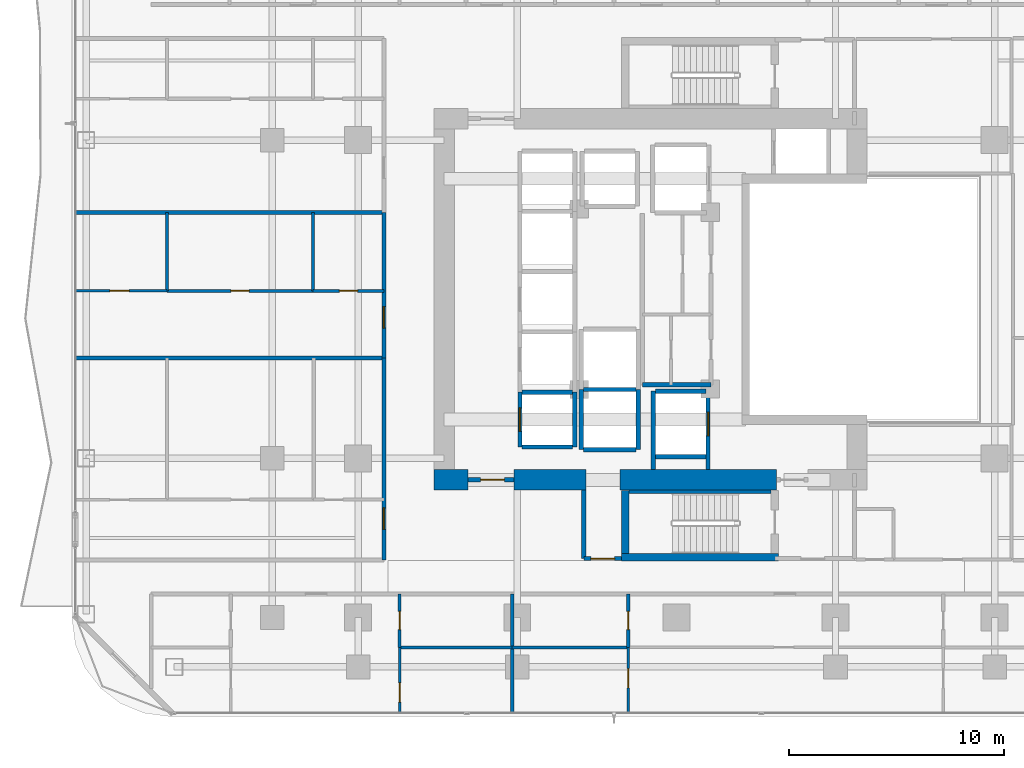
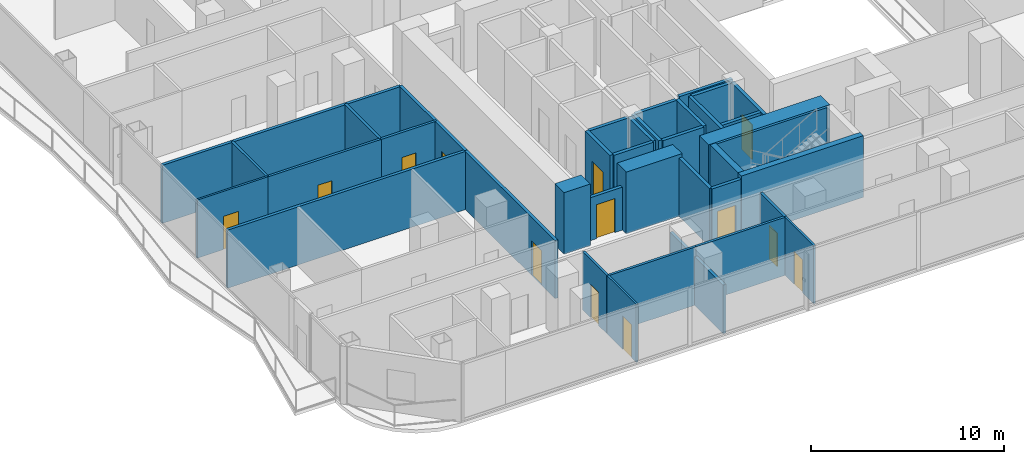
# One storey, part 19 of 28: 38 walls, 13 doors, 13 openings.
"""IFC4 building model written with IfcOpenShell, lengths in metres."""

from ifc_helpers import new_model, si_unit, direction, frame, frame_2d, origin, place, context, subcontext, project, spatial, rectangle, extrude, material, layer, layer_set, type_object, element, fill, save


model = new_model("IFC4")

# Units and contexts
model_context = context("Model", 3, precision=1e-05, world=origin(), true_north=direction((0.0, 1.0)))
body_context = subcontext(model_context, "Body", "Model", "MODEL_VIEW")
ifc_project = project(units=[si_unit("LENGTHUNIT", "METRE"), si_unit("AREAUNIT", "SQUARE_METRE"), si_unit("VOLUMEUNIT", "CUBIC_METRE"), si_unit("PLANEANGLEUNIT", "RADIAN"), si_unit("MASSUNIT", "GRAM", prefix="KILO")], contexts=[model_context])

# Site, building, storey
site_placement = place(None, origin())
site = spatial("IfcSite", under=ifc_project, at=site_placement, CompositionType="ELEMENT")
building_placement = place(site_placement, origin())
building = spatial("IfcBuilding", under=site, at=building_placement, Name="Khorvyn Point Tower", CompositionType="ELEMENT")
storey_placement = place(building_placement, frame((0.0, 0.0, 89.10009765625)))
storey = spatial("IfcBuildingStorey", under=building, at=storey_placement, Name="L22", CompositionType="ELEMENT", Elevation=89.10009765625)

# Wall, opening, door
ifc_material_1 = material(Name="Double acoustic gypsum on twin steel stud", Category="steel")
ifc_layer_1 = layer(ifc_material_1, 0.179931640625)
ifc_layer_set_1 = layer_set([ifc_layer_1], Name="Acoustic Double-Stud Apartment Demising Wall 180")
wall_type_1 = type_object("IfcWallType", Name="Acoustic Double-Stud Apartment Demising Wall 180", PredefinedType="PARTITIONING", material=ifc_layer_set_1)
wall_1_placement = place(storey_placement, frame((-13.60009765625, -12.1201171875, 0.0), z_axis=(0.0, 0.0, 1.0), x_axis=(0.0, 1.0, 0.0)))
wall_1 = element("IfcWall", 1, at=wall_1_placement, inside=storey, type_object=wall_type_1, Name="Wall", PredefinedType="PARTITIONING", context=body_context, shape_type="SweptSolid", body=[
    extrude(rectangle(XDim=9.38916015625, YDim=0.179931640625, at=frame_2d((4.694580078125, 0.0))), origin(), (0.0, 0.0, 1.0), 3.679931640625),
])
opening_1_placement = place(wall_1_placement, frame((1.415283203125, 0.0, 0.0)))
opening_1 = element("IfcOpeningElement", 2, at=opening_1_placement, cuts=wall_1, Name="Opening ID-AP60", PredefinedType="OPENING", context=body_context, shape_type="SweptSolid", body=[
    extrude(rectangle(XDim=1.0, YDim=2.199951171875, at=frame_2d((0.5, 1.10009765625))), frame((0.0, 0.099853515625, 0.0), z_axis=(0.0, -1.0, 0.0), x_axis=(1.0, 0.0, 0.0)), (0.0, 0.0, 1.0), 0.199951171875),
])
ifc_material_2 = material(Name="Engineered hardwood fire-rated leaf", Category="wood")
door_type_1 = type_object("IfcDoorType", Name="Acoustic Solid-Core Timber Apartment Entrance Door 1000x2200", OperationType="NOTDEFINED", PredefinedType="DOOR", material=ifc_material_2)
door_1_placement = place(opening_1_placement, origin())
door_1 = element("IfcDoor", 3, at=door_1_placement, inside=storey, type_object=door_type_1, Name="Door", OperationType="SINGLE_SWING_RIGHT", OverallHeight=2.199951171875, OverallWidth=1.0, PredefinedType="DOOR", context=body_context, shape_type="SweptSolid", body=[
    extrude(rectangle(XDim=1.0, YDim=2.199951171875, at=frame_2d((0.5, 1.10009765625))), frame((0.0, 0.02490234375, 0.0), z_axis=(0.0, -1.0, 0.0), x_axis=(1.0, 0.0, 0.0)), (0.0, 0.0, 1.0), 0.050048828125),
])
fill(opening_1, door_1)

wall_2_placement = place(storey_placement, frame((-13.60009765625, -2.73095703125, 0.0), z_axis=(0.0, 0.0, 1.0), x_axis=(0.0, 1.0, 0.0)))
wall_2 = element("IfcWall", 4, at=wall_2_placement, inside=storey, type_object=wall_type_1, Name="Wall", PredefinedType="PARTITIONING", context=body_context, shape_type="SweptSolid", body=[
    extrude(rectangle(XDim=6.77099609375, YDim=0.179931640625, at=frame_2d((3.385498046875, 0.0))), origin(), (0.0, 0.0, 1.0), 3.679931640625),
])
opening_2_placement = place(wall_2_placement, frame((1.390869140625, 0.0, 0.0)))
opening_2 = element("IfcOpeningElement", 5, at=opening_2_placement, cuts=wall_2, Name="Opening ID-AP60", PredefinedType="OPENING", context=body_context, shape_type="SweptSolid", body=[
    extrude(rectangle(XDim=1.0, YDim=2.199951171875, at=frame_2d((0.5, 1.10009765625))), frame((0.0, 0.099853515625, 0.0), z_axis=(0.0, -1.0, 0.0), x_axis=(1.0, 0.0, 0.0)), (0.0, 0.0, 1.0), 0.199951171875),
])
door_2_placement = place(opening_2_placement, origin())
door_2 = element("IfcDoor", 6, at=door_2_placement, inside=storey, type_object=door_type_1, Name="Door", OperationType="SINGLE_SWING_RIGHT", OverallHeight=2.199951171875, OverallWidth=1.0, PredefinedType="DOOR", context=body_context, shape_type="SweptSolid", body=[
    extrude(rectangle(XDim=1.0, YDim=2.199951171875, at=frame_2d((0.5, 1.10009765625))), frame((0.0, 0.02490234375, 0.0), z_axis=(0.0, -1.0, 0.0), x_axis=(1.0, 0.0, 0.0)), (0.0, 0.0, 1.0), 0.050048828125),
])
fill(opening_2, door_2)

# Walls
wall_3_placement = place(storey_placement, frame((-7.634033203125, -19.22998046875, 0.0), z_axis=(0.0, 0.0, 1.0), x_axis=(0.0, 1.0, 0.0)))
element("IfcWall", 7, at=wall_3_placement, inside=storey, type_object=wall_type_1, Name="Wall", PredefinedType="PARTITIONING", context=body_context, shape_type="SweptSolid", body=[
    extrude(rectangle(XDim=5.530029296875, YDim=0.179931640625, at=frame_2d((2.76513671875, 0.0))), origin(), (0.0, 0.0, 1.0), 3.081787109375),
])
for number, where, z_axis, x_axis, name in (
    (8, (-27.929931640625, -2.73095703125, 0.0), (0.0, 0.0, 1.0), (1.0, 0.0, 0.0), "Wall"),
    (9, (-27.929931640625, 4.0400390625, 0.0), (0.0, 0.0, 1.0), (1.0, 0.0, 0.0), "Wall"),
):
    element("IfcWall", number, at=place(storey_placement, frame(where, z_axis=z_axis, x_axis=x_axis)), inside=storey, type_object=wall_type_1, Name=name, PredefinedType="PARTITIONING", context=body_context, shape_type="SweptSolid", body=[
        extrude(rectangle(XDim=14.329833984375, YDim=0.179931640625, at=frame_2d((7.1650390625, 0.0))), origin(), (0.0, 0.0, 1.0), 3.679931640625),
    ])

# Wall, opening, door
ifc_material_3 = material(Name="Concrete C40/50", Category="concrete")
ifc_layer_2 = layer(ifc_material_3, 0.199951171875)
ifc_layer_set_2 = layer_set([ifc_layer_2], Name="Concrete C40/50 Fire-Lobby Compartment Wall 200")
wall_type_2 = type_object("IfcWallType", Name="Concrete C40/50 Fire-Lobby Compartment Wall 200", PredefinedType="SOLIDWALL", material=ifc_layer_set_2)
wall_4_placement = place(storey_placement, frame((-9.699951171875, -8.39990234375, 0.0), z_axis=(0.0, 0.0, 1.0), x_axis=(1.0, 0.0, 0.0)))
wall_4 = element("IfcWall", 10, at=wall_4_placement, inside=storey, type_object=wall_type_2, Name="Wall", PredefinedType="SOLIDWALL", context=body_context, shape_type="SweptSolid", body=[
    extrude(rectangle(XDim=2.14990234375, YDim=0.199951171875, at=frame_2d((1.074951171875, 0.0))), origin(), (0.0, 0.0, 1.0), 2.719970703125),
])
opening_3_placement = place(wall_4_placement, frame((0.597900390625, 0.0, 0.0)))
opening_3 = element("IfcOpeningElement", 11, at=opening_3_placement, cuts=wall_4, Name="Opening ID-FL90", PredefinedType="OPENING", context=body_context, shape_type="SweptSolid", body=[
    extrude(rectangle(XDim=1.10009765625, YDim=2.14990234375, at=frame_2d((0.550048828125, 1.074951171875))), frame((0.0, 0.10986328125, 0.0), z_axis=(0.0, -1.0, 0.0), x_axis=(1.0, 0.0, 0.0)), (0.0, 0.0, 1.0), 0.219970703125),
])
ifc_material_4 = material(Name="Galvanised powder-coated steel", Category="steel")
door_type_2 = type_object("IfcDoorType", Name="Fire-Rated Steel Lobby and Stair Door 1100x2150", OperationType="NOTDEFINED", PredefinedType="DOOR", material=ifc_material_4)
door_3_placement = place(opening_3_placement, origin())
door_3 = element("IfcDoor", 12, at=door_3_placement, inside=storey, type_object=door_type_2, Name="Door", OperationType="SINGLE_SWING_RIGHT", OverallHeight=2.14990234375, OverallWidth=1.10009765625, PredefinedType="DOOR", context=body_context, shape_type="SweptSolid", body=[
    extrude(rectangle(XDim=1.10009765625, YDim=2.14990234375, at=frame_2d((0.550048828125, 1.074951171875))), frame((0.0, 0.02490234375, 0.0), z_axis=(0.0, -1.0, 0.0), x_axis=(1.0, 0.0, 0.0)), (0.0, 0.0, 1.0), 0.050048828125),
])
fill(opening_3, door_3)

wall_5_placement = place(storey_placement, frame((-4.300048828125, -12.06005859375, 0.0), z_axis=(0.0, 0.0, 1.0), x_axis=(1.0, 0.0, 0.0)))
wall_5 = element("IfcWall", 13, at=wall_5_placement, inside=storey, type_object=wall_type_2, Name="Wall", PredefinedType="SOLIDWALL", context=body_context, shape_type="SweptSolid", body=[
    extrude(rectangle(XDim=1.75, YDim=0.199951171875, at=frame_2d((0.875, 0.0))), origin(), (0.0, 0.0, 1.0), 3.679931640625),
])
opening_4_placement = place(wall_5_placement, frame((0.324951171875, 0.0, 0.0)))
opening_4 = element("IfcOpeningElement", 14, at=opening_4_placement, cuts=wall_5, Name="Opening ID-FL90", PredefinedType="OPENING", context=body_context, shape_type="SweptSolid", body=[
    extrude(rectangle(XDim=1.10009765625, YDim=2.14990234375, at=frame_2d((0.550048828125, 1.074951171875))), frame((0.0, 0.10986328125, 0.0), z_axis=(0.0, -1.0, 0.0), x_axis=(1.0, 0.0, 0.0)), (0.0, 0.0, 1.0), 0.219970703125),
])
door_4_placement = place(opening_4_placement, origin())
door_4 = element("IfcDoor", 15, at=door_4_placement, inside=storey, type_object=door_type_2, Name="Door", OperationType="SINGLE_SWING_RIGHT", OverallHeight=2.14990234375, OverallWidth=1.10009765625, PredefinedType="DOOR", context=body_context, shape_type="SweptSolid", body=[
    extrude(rectangle(XDim=1.10009765625, YDim=2.14990234375, at=frame_2d((0.550048828125, 1.074951171875))), frame((0.0, 0.02490234375, 0.0), z_axis=(0.0, -1.0, 0.0), x_axis=(1.0, 0.0, 0.0)), (0.0, 0.0, 1.0), 0.050048828125),
])
fill(opening_4, door_4)

# Walls
wall_6_placement = place(storey_placement, frame((-4.300048828125, -12.06005859375, 0.0), z_axis=(0.0, 0.0, 1.0), x_axis=(0.0, 1.0, 0.0)))
element("IfcWall", 16, at=wall_6_placement, inside=storey, type_object=wall_type_2, Name="Wall", PredefinedType="SOLIDWALL", context=body_context, shape_type="SweptSolid", body=[
    extrude(rectangle(XDim=3.18505859375, YDim=0.199951171875, at=frame_2d((1.592529296875, 0.0))), origin(), (0.0, 0.0, 1.0), 3.679931640625),
])
wall_7_placement = place(storey_placement, frame((-1.580078125, -3.97998046875, 0.0), z_axis=(0.0, 0.0, 1.0), x_axis=(1.0, 0.0, 0.0)))
element("IfcWall", 17, at=wall_7_placement, inside=storey, type_object=wall_type_2, Name="Wall", PredefinedType="SOLIDWALL", context=body_context, shape_type="SweptSolid", body=[
    extrude(rectangle(XDim=3.190185546875, YDim=0.199951171875, at=frame_2d((1.59521484375, 0.0))), origin(), (0.0, 0.0, 1.0), 3.679931640625),
])
ifc_layer_3 = layer(ifc_material_3, 0.25)
ifc_layer_set_3 = layer_set([ifc_layer_3], Name="Concrete C40/50 Stair Inner Cheek Structural Wall 250")
wall_type_3 = type_object("IfcWallType", Name="Concrete C40/50 Stair Inner Cheek Structural Wall 250", PredefinedType="SHEAR", material=ifc_layer_set_3)
wall_8_placement = place(storey_placement, frame((-2.199951171875, -8.949951171875, 0.0), z_axis=(0.0, 0.0, 1.0), x_axis=(1.0, 0.0, 0.0)))
element("IfcWall", 18, at=wall_8_placement, inside=storey, type_object=wall_type_3, Name="Wall", PredefinedType="SHEAR", context=body_context, shape_type="SweptSolid", body=[
    extrude(rectangle(XDim=6.599853515625, YDim=0.14990234375, at=frame_2d((3.2998046875, 0.0))), origin(), (0.0, 0.0, 1.0), 3.89990234375),
])
ifc_layer_4 = layer(ifc_material_3, 0.35009765625)
ifc_layer_set_4 = layer_set([ifc_layer_4], Name="Concrete C40/50 Stair Shaft Structural Wall 350")
wall_type_4 = type_object("IfcWallType", Name="Concrete C40/50 Stair Shaft Structural Wall 350", PredefinedType="SHEAR", material=ifc_layer_set_4)
wall_9_placement = place(storey_placement, frame((-2.554931640625, -12.0, 0.0), z_axis=(0.0, 0.0, 1.0), x_axis=(1.0, 0.0, 0.0)))
element("IfcWall", 19, at=wall_9_placement, inside=storey, type_object=wall_type_4, Name="L22 ST-01 South Shaft Wall", PredefinedType="SHEAR", context=body_context, shape_type="SweptSolid", body=[
    extrude(rectangle(XDim=7.309814453125, YDim=0.35009765625, at=frame_2d((3.65478515625, 0.0))), origin(), (0.0, 0.0, 1.0), 3.89990234375),
])
wall_10_placement = place(storey_placement, frame((-2.3798828125, -11.824951171875, 0.0), z_axis=(0.0, 0.0, 1.0), x_axis=(0.0, 1.0, 0.0)))
element("IfcWall", 20, at=wall_10_placement, inside=storey, type_object=wall_type_4, Name="L22 ST-01 West Shaft Wall", PredefinedType="SHEAR", context=body_context, shape_type="SweptSolid", body=[
    extrude(rectangle(XDim=2.925048828125, YDim=0.35009765625, at=frame_2d((1.46240234375, 0.0))), origin(), (0.0, 0.0, 1.0), 3.89990234375),
])

# Wall, opening, door
ifc_layer_5 = layer(ifc_material_3, 0.199951171875)
ifc_layer_set_5 = layer_set([ifc_layer_5], Name="Concrete C40/50 Structural Hoistway and Stair Shaft Wall 200")
wall_type_5 = type_object("IfcWallType", Name="Concrete C40/50 Structural Hoistway and Stair Shaft Wall 200", PredefinedType="SHEAR", material=ifc_layer_set_5)
wall_11_placement = place(storey_placement, frame((-7.27490234375, -6.875, 0.0), z_axis=(0.0, 0.0, 1.0), x_axis=(0.0, 1.0, 0.0)))
wall_11 = element("IfcWall", 21, at=wall_11_placement, inside=storey, type_object=wall_type_5, Name="Wall", PredefinedType="SHEAR", context=body_context, shape_type="SweptSolid", body=[
    extrude(rectangle(XDim=2.550048828125, YDim=0.199951171875, at=frame_2d((1.27490234375, 0.0))), origin(), (0.0, 0.0, 1.0), 3.679931640625),
])
opening_5_placement = place(wall_11_placement, frame((0.72509765625, 0.0, 0.0)))
opening_5 = element("IfcOpeningElement", 22, at=opening_5_placement, cuts=wall_11, Name="Opening LD-1122", PredefinedType="OPENING", context=body_context, shape_type="SweptSolid", body=[
    extrude(rectangle(XDim=1.10009765625, YDim=2.199951171875, at=frame_2d((0.550048828125, 1.10009765625))), frame((0.0, 0.10986328125, 0.0), z_axis=(0.0, -1.0, 0.0), x_axis=(1.0, 0.0, 0.0)), (0.0, 0.0, 1.0), 0.219970703125),
])
ifc_material_5 = material(Name="Stainless steel 1.4301", Category="steel")
door_type_3 = type_object("IfcDoorType", Name="Stainless Steel Automatic Sliding Lift Landing Door 1100x2200", OperationType="SLIDING_TO_LEFT", PredefinedType="DOOR", material=ifc_material_5)
door_5_placement = place(opening_5_placement, origin())
door_5 = element("IfcDoor", 23, at=door_5_placement, inside=storey, type_object=door_type_3, Name="L22 RL-01 Sliding Lift Landing Door", OperationType="SLIDING_TO_LEFT", OverallHeight=2.199951171875, OverallWidth=1.10009765625, PredefinedType="DOOR", context=body_context, shape_type="SweptSolid", body=[
    extrude(rectangle(XDim=1.10009765625, YDim=2.199951171875, at=frame_2d((0.550048828125, 1.10009765625))), frame((0.0, 0.02490234375, 0.0), z_axis=(0.0, -1.0, 0.0), x_axis=(1.0, 0.0, 0.0)), (0.0, 0.0, 1.0), 0.050048828125),
])
fill(opening_5, door_5)

# Walls
wall_12_placement = place(storey_placement, frame((-4.72509765625, -6.875, 0.0), z_axis=(0.0, 0.0, 1.0), x_axis=(0.0, 1.0, 0.0)))
element("IfcWall", 24, at=wall_12_placement, inside=storey, type_object=wall_type_5, Name="Wall", PredefinedType="SHEAR", context=body_context, shape_type="SweptSolid", body=[
    extrude(rectangle(XDim=2.550048828125, YDim=0.199951171875, at=frame_2d((1.27490234375, 0.0))), origin(), (0.0, 0.0, 1.0), 3.679931640625),
])
for number, where, z_axis, x_axis, name in (
    (25, (-7.175048828125, -6.875, 0.0), (0.0, 0.0, 1.0), (1.0, 0.0, 0.0), "Wall"),
    (26, (-7.175048828125, -4.324951171875, 0.0), (0.0, 0.0, 1.0), (1.0, 0.0, 0.0), "Wall"),
):
    element("IfcWall", number, at=place(storey_placement, frame(where, z_axis=z_axis, x_axis=x_axis)), inside=storey, type_object=wall_type_5, Name=name, PredefinedType="SHEAR", context=body_context, shape_type="SweptSolid", body=[
        extrude(rectangle(XDim=2.35009765625, YDim=0.199951171875, at=frame_2d((1.175048828125, 0.0))), origin(), (0.0, 0.0, 1.0), 3.679931640625),
    ])
for number, where, z_axis, x_axis, name in (
    (27, (-4.425048828125, -7.0, 0.0), (0.0, 0.0, 1.0), (0.0, 1.0, 0.0), "Wall"),
    (28, (-1.77490234375, -7.0, 0.0), (0.0, 0.0, 1.0), (0.0, 1.0, 0.0), "Wall"),
):
    element("IfcWall", number, at=place(storey_placement, frame(where, z_axis=z_axis, x_axis=x_axis)), inside=storey, type_object=wall_type_5, Name=name, PredefinedType="SHEAR", context=body_context, shape_type="SweptSolid", body=[
        extrude(rectangle(XDim=2.800048828125, YDim=0.199951171875, at=frame_2d((1.39990234375, 0.0))), origin(), (0.0, 0.0, 1.0), 3.679931640625),
    ])
for number, where, z_axis, x_axis, name in (
    (29, (-4.324951171875, -7.0, 0.0), (0.0, 0.0, 1.0), (1.0, 0.0, 0.0), "Wall"),
    (30, (-4.324951171875, -4.199951171875, 0.0), (0.0, 0.0, 1.0), (1.0, 0.0, 0.0), "Wall"),
):
    element("IfcWall", number, at=place(storey_placement, frame(where, z_axis=z_axis, x_axis=x_axis)), inside=storey, type_object=wall_type_5, Name=name, PredefinedType="SHEAR", context=body_context, shape_type="SweptSolid", body=[
        extrude(rectangle(XDim=2.449951171875, YDim=0.199951171875, at=frame_2d((1.22509765625, 0.0))), origin(), (0.0, 0.0, 1.0), 3.679931640625),
    ])
wall_13_placement = place(storey_placement, frame((-1.074951171875, -7.925048828125, 0.0), z_axis=(0.0, 0.0, 1.0), x_axis=(0.0, 1.0, 0.0)))
element("IfcWall", 31, at=wall_13_placement, inside=storey, type_object=wall_type_5, Name="Wall", PredefinedType="SHEAR", context=body_context, shape_type="SweptSolid", body=[
    extrude(rectangle(XDim=3.650146484375, YDim=0.199951171875, at=frame_2d((1.8251953125, 0.0))), origin(), (0.0, 0.0, 1.0), 3.679931640625),
])

# Wall, opening, door
wall_14_placement = place(storey_placement, frame((1.47509765625, -7.925048828125, 0.0), z_axis=(0.0, 0.0, 1.0), x_axis=(0.0, 1.0, 0.0)))
wall_14 = element("IfcWall", 32, at=wall_14_placement, inside=storey, type_object=wall_type_5, Name="Wall", PredefinedType="SHEAR", context=body_context, shape_type="SweptSolid", body=[
    extrude(rectangle(XDim=3.650146484375, YDim=0.199951171875, at=frame_2d((1.8251953125, 0.0))), origin(), (0.0, 0.0, 1.0), 3.679931640625),
])
opening_6_placement = place(wall_14_placement, frame((1.574951171875, 0.0, 0.0)))
opening_6 = element("IfcOpeningElement", 33, at=opening_6_placement, cuts=wall_14, Name="Opening LD-1122", PredefinedType="OPENING", context=body_context, shape_type="SweptSolid", body=[
    extrude(rectangle(XDim=1.10009765625, YDim=2.199951171875, at=frame_2d((0.550048828125, 1.10009765625))), frame((0.0, 0.10986328125, 0.0), z_axis=(0.0, -1.0, 0.0), x_axis=(1.0, 0.0, 0.0)), (0.0, 0.0, 1.0), 0.219970703125),
])
door_6_placement = place(opening_6_placement, origin())
door_6 = element("IfcDoor", 34, at=door_6_placement, inside=storey, type_object=door_type_3, Name="L22 FF-01 Sliding Lift Landing Door", OperationType="SLIDING_TO_LEFT", OverallHeight=2.199951171875, OverallWidth=1.10009765625, PredefinedType="DOOR", context=body_context, shape_type="SweptSolid", body=[
    extrude(rectangle(XDim=1.10009765625, YDim=2.199951171875, at=frame_2d((0.550048828125, 1.10009765625))), frame((0.0, 0.02490234375, 0.0), z_axis=(0.0, -1.0, 0.0), x_axis=(1.0, 0.0, 0.0)), (0.0, 0.0, 1.0), 0.050048828125),
])
fill(opening_6, door_6)

# Walls
for number, where, z_axis, x_axis, name in (
    (35, (-0.97509765625, -7.324951171875, 0.0), (0.0, 0.0, 1.0), (1.0, 0.0, 0.0), "Wall"),
    (36, (-0.97509765625, -4.27490234375, 0.0), (0.0, 0.0, 1.0), (1.0, 0.0, 0.0), "Wall"),
):
    element("IfcWall", number, at=place(storey_placement, frame(where, z_axis=z_axis, x_axis=x_axis)), inside=storey, type_object=wall_type_5, Name=name, PredefinedType="SHEAR", context=body_context, shape_type="SweptSolid", body=[
        extrude(rectangle(XDim=2.35009765625, YDim=0.199951171875, at=frame_2d((1.175048828125, 0.0))), origin(), (0.0, 0.0, 1.0), 3.679931640625),
    ])
ifc_material_6 = material(Name="Concrete C50/60", Category="concrete")
ifc_layer_6 = layer(ifc_material_6, 0.949951171875)
ifc_layer_set_6 = layer_set([ifc_layer_6], Name="Concrete C50/60 Core Shear Wall 950")
wall_type_6 = type_object("IfcWallType", Name="Concrete C50/60 Core Shear Wall 950", PredefinedType="SHEAR", material=ifc_layer_set_6)
wall_15_placement = place(storey_placement, frame((-11.27490234375, -8.39990234375, 0.0), z_axis=(0.0, 0.0, 1.0), x_axis=(1.0, 0.0, 0.0)))
element("IfcWall", 37, at=wall_15_placement, inside=storey, type_object=wall_type_6, Name="Wall", PredefinedType="SHEAR", context=body_context, shape_type="SweptSolid", body=[
    extrude(rectangle(XDim=1.574951171875, YDim=0.949951171875, at=frame_2d((0.78759765625, 0.0))), origin(), (0.0, 0.0, 1.0), 3.89990234375),
])
wall_16_placement = place(storey_placement, frame((-7.550048828125, -8.39990234375, 0.0), z_axis=(0.0, 0.0, 1.0), x_axis=(1.0, 0.0, 0.0)))
element("IfcWall", 38, at=wall_16_placement, inside=storey, type_object=wall_type_6, Name="Wall", PredefinedType="SHEAR", context=body_context, shape_type="SweptSolid", body=[
    extrude(rectangle(XDim=3.35009765625, YDim=0.949951171875, at=frame_2d((1.675048828125, 0.0))), origin(), (0.0, 0.0, 1.0), 3.89990234375),
])
wall_17_placement = place(storey_placement, frame((-2.6201171875, -8.39990234375, 0.0), z_axis=(0.0, 0.0, 1.0), x_axis=(1.0, 0.0, 0.0)))
element("IfcWall", 39, at=wall_17_placement, inside=storey, type_object=wall_type_6, Name="Wall", PredefinedType="SHEAR", context=body_context, shape_type="SweptSolid", body=[
    extrude(rectangle(XDim=7.27001953125, YDim=0.949951171875, at=frame_2d((3.635009765625, 0.0))), origin(), (0.0, 0.0, 1.0), 3.89990234375),
])

# Wall, opening, door
ifc_material_7 = material(Name="Gypsum plasterboard on steel stud", Category="steel")
ifc_layer_7 = layer(ifc_material_7, 0.1201171875)
ifc_layer_set_7 = layer_set([ifc_layer_7], Name="Gypsum Acoustic Stud Room Partition Wall 120")
wall_type_7 = type_object("IfcWallType", Name="Gypsum Acoustic Stud Room Partition Wall 120", PredefinedType="PARTITIONING", material=ifc_layer_set_7)
wall_18_placement = place(storey_placement, frame((-12.87109375, -19.22998046875, 0.0), z_axis=(0.0, 0.0, 1.0), x_axis=(0.0, 1.0, 0.0)))
wall_18 = element("IfcWall", 40, at=wall_18_placement, inside=storey, type_object=wall_type_7, Name="Wall", PredefinedType="PARTITIONING", context=body_context, shape_type="SweptSolid", body=[
    extrude(rectangle(XDim=3.0400390625, YDim=0.1201171875, at=frame_2d((1.52001953125, 0.0))), origin(), (0.0, 0.0, 1.0), 3.679931640625),
])
opening_7_placement = place(wall_18_placement, frame((0.490966796875, 0.0, 0.0)))
opening_7 = element("IfcOpeningElement", 41, at=opening_7_placement, cuts=wall_18, Name="Opening ID-RM90", PredefinedType="OPENING", context=body_context, shape_type="SweptSolid", body=[
    extrude(rectangle(XDim=0.89990234375, YDim=2.10009765625, at=frame_2d((0.449951171875, 1.050048828125))), frame((0.0, 0.070068359375, 0.0), z_axis=(0.0, -1.0, 0.0), x_axis=(1.0, 0.0, 0.0)), (0.0, 0.0, 1.0), 0.14013671875),
])
ifc_material_8 = material(Name="Engineered oak veneer timber", Category="wood")
door_type_4 = type_object("IfcDoorType", Name="Flush Engineered Timber Room Door 900x2100", OperationType="NOTDEFINED", PredefinedType="DOOR", material=ifc_material_8)
door_7_placement = place(opening_7_placement, origin())
door_7 = element("IfcDoor", 42, at=door_7_placement, inside=storey, type_object=door_type_4, Name="Door", OperationType="SINGLE_SWING_LEFT", OverallHeight=2.10009765625, OverallWidth=0.89990234375, PredefinedType="DOOR", context=body_context, shape_type="SweptSolid", body=[
    extrude(rectangle(XDim=0.89990234375, YDim=2.10009765625, at=frame_2d((0.449951171875, 1.050048828125))), frame((0.0, 0.02490234375, 0.0), z_axis=(0.0, -1.0, 0.0), x_axis=(1.0, 0.0, 0.0)), (0.0, 0.0, 1.0), 0.050048828125),
])
fill(opening_7, door_7)

wall_19_placement = place(storey_placement, frame((-2.239990234375, -19.22998046875, 0.0), z_axis=(0.0, 0.0, 1.0), x_axis=(0.0, 1.0, 0.0)))
wall_19 = element("IfcWall", 43, at=wall_19_placement, inside=storey, type_object=wall_type_7, Name="Wall", PredefinedType="PARTITIONING", context=body_context, shape_type="SweptSolid", body=[
    extrude(rectangle(XDim=3.0400390625, YDim=0.1201171875, at=frame_2d((1.52001953125, 0.0))), origin(), (0.0, 0.0, 1.0), 3.679931640625),
])
opening_8_placement = place(wall_19_placement, frame((1.152587890625, 0.0, 0.0)))
opening_8 = element("IfcOpeningElement", 44, at=opening_8_placement, cuts=wall_19, Name="Opening ID-RM90", PredefinedType="OPENING", context=body_context, shape_type="SweptSolid", body=[
    extrude(rectangle(XDim=0.89990234375, YDim=2.10009765625, at=frame_2d((0.449951171875, 1.050048828125))), frame((0.0, 0.070068359375, 0.0), z_axis=(0.0, -1.0, 0.0), x_axis=(1.0, 0.0, 0.0)), (0.0, 0.0, 1.0), 0.14013671875),
])
door_8_placement = place(opening_8_placement, origin())
door_8 = element("IfcDoor", 45, at=door_8_placement, inside=storey, type_object=door_type_4, Name="Door", OperationType="SINGLE_SWING_LEFT", OverallHeight=2.10009765625, OverallWidth=0.89990234375, PredefinedType="DOOR", context=body_context, shape_type="SweptSolid", body=[
    extrude(rectangle(XDim=0.89990234375, YDim=2.10009765625, at=frame_2d((0.449951171875, 1.050048828125))), frame((0.0, 0.02490234375, 0.0), z_axis=(0.0, -1.0, 0.0), x_axis=(1.0, 0.0, 0.0)), (0.0, 0.0, 1.0), 0.050048828125),
])
fill(opening_8, door_8)

wall_20_placement = place(storey_placement, frame((-27.929931640625, 0.384033203125, 0.0), z_axis=(0.0, 0.0, 1.0), x_axis=(1.0, 0.0, 0.0)))
wall_20 = element("IfcWall", 46, at=wall_20_placement, inside=storey, type_object=wall_type_7, Name="Wall", PredefinedType="PARTITIONING", context=body_context, shape_type="SweptSolid", body=[
    extrude(rectangle(XDim=4.239990234375, YDim=0.1201171875, at=frame_2d((2.1201171875, 0.0))), origin(), (0.0, 0.0, 1.0), 3.679931640625),
])
opening_9_placement = place(wall_20_placement, frame((1.581298828125, 0.0, 0.0)))
opening_9 = element("IfcOpeningElement", 47, at=opening_9_placement, cuts=wall_20, Name="Opening ID-RM90", PredefinedType="OPENING", context=body_context, shape_type="SweptSolid", body=[
    extrude(rectangle(XDim=0.89990234375, YDim=2.10009765625, at=frame_2d((0.449951171875, 1.050048828125))), frame((0.0, 0.070068359375, 0.0), z_axis=(0.0, -1.0, 0.0), x_axis=(1.0, 0.0, 0.0)), (0.0, 0.0, 1.0), 0.14013671875),
])
door_9_placement = place(opening_9_placement, origin())
door_9 = element("IfcDoor", 48, at=door_9_placement, inside=storey, type_object=door_type_4, Name="Door", OperationType="SINGLE_SWING_LEFT", OverallHeight=2.10009765625, OverallWidth=0.89990234375, PredefinedType="DOOR", context=body_context, shape_type="SweptSolid", body=[
    extrude(rectangle(XDim=0.89990234375, YDim=2.10009765625, at=frame_2d((0.449951171875, 1.050048828125))), frame((0.0, 0.02490234375, 0.0), z_axis=(0.0, -1.0, 0.0), x_axis=(1.0, 0.0, 0.0)), (0.0, 0.0, 1.0), 0.050048828125),
])
fill(opening_9, door_9)

ifc_material_9 = material(Name="Moisture-resistant gypsum and cement board", Category="gypsum")
ifc_layer_8 = layer(ifc_material_9, 0.14990234375)
ifc_layer_set_8 = layer_set([ifc_layer_8], Name="Moisture-Resistant Wet-Room Partition Wall 150")
wall_type_8 = type_object("IfcWallType", Name="Moisture-Resistant Wet-Room Partition Wall 150", PredefinedType="PARTITIONING", material=ifc_layer_set_8)
wall_21_placement = place(storey_placement, frame((-12.87109375, -16.18994140625, 0.0), z_axis=(0.0, 0.0, 1.0), x_axis=(0.0, 1.0, 0.0)))
wall_21 = element("IfcWall", 49, at=wall_21_placement, inside=storey, type_object=wall_type_8, Name="Wall", PredefinedType="PARTITIONING", context=body_context, shape_type="SweptSolid", body=[
    extrude(rectangle(XDim=2.489990234375, YDim=0.14990234375, at=frame_2d((1.2451171875, 0.0))), origin(), (0.0, 0.0, 1.0), 3.679931640625),
])
opening_10_placement = place(wall_21_placement, frame((0.820068359375, 0.0, 0.0)))
opening_10 = element("IfcOpeningElement", 50, at=opening_10_placement, cuts=wall_21, Name="Opening ID-WC85", PredefinedType="OPENING", context=body_context, shape_type="SweptSolid", body=[
    extrude(rectangle(XDim=0.85009765625, YDim=2.10009765625, at=frame_2d((0.425048828125, 1.050048828125))), frame((0.0, 0.0849609375, 0.0), z_axis=(0.0, -1.0, 0.0), x_axis=(1.0, 0.0, 0.0)), (0.0, 0.0, 1.0), 0.169921875),
])
ifc_material_10 = material(Name="High-pressure laminate on moisture-resistant core", Category="wood")
door_type_5 = type_object("IfcDoorType", Name="Moisture-Resistant Accessible Washroom Door 850x2100", OperationType="NOTDEFINED", PredefinedType="DOOR", material=ifc_material_10)
door_10_placement = place(opening_10_placement, origin())
door_10 = element("IfcDoor", 51, at=door_10_placement, inside=storey, type_object=door_type_5, Name="Door", OperationType="SINGLE_SWING_RIGHT", OverallHeight=2.10009765625, OverallWidth=0.85009765625, PredefinedType="DOOR", context=body_context, shape_type="SweptSolid", body=[
    extrude(rectangle(XDim=0.85009765625, YDim=2.10009765625, at=frame_2d((0.425048828125, 1.050048828125))), frame((0.0, 0.02490234375, 0.0), z_axis=(0.0, -1.0, 0.0), x_axis=(1.0, 0.0, 0.0)), (0.0, 0.0, 1.0), 0.050048828125),
])
fill(opening_10, door_10)

wall_22_placement = place(storey_placement, frame((-2.239990234375, -16.18994140625, 0.0), z_axis=(0.0, 0.0, 1.0), x_axis=(0.0, 1.0, 0.0)))
wall_22 = element("IfcWall", 52, at=wall_22_placement, inside=storey, type_object=wall_type_8, Name="Wall", PredefinedType="PARTITIONING", context=body_context, shape_type="SweptSolid", body=[
    extrude(rectangle(XDim=2.489990234375, YDim=0.14990234375, at=frame_2d((1.2451171875, 0.0))), origin(), (0.0, 0.0, 1.0), 3.679931640625),
])
opening_11_placement = place(wall_22_placement, frame((0.820068359375, 0.0, 0.0)))
opening_11 = element("IfcOpeningElement", 53, at=opening_11_placement, cuts=wall_22, Name="Opening ID-WC85", PredefinedType="OPENING", context=body_context, shape_type="SweptSolid", body=[
    extrude(rectangle(XDim=0.85009765625, YDim=2.10009765625, at=frame_2d((0.425048828125, 1.050048828125))), frame((0.0, 0.0849609375, 0.0), z_axis=(0.0, -1.0, 0.0), x_axis=(1.0, 0.0, 0.0)), (0.0, 0.0, 1.0), 0.169921875),
])
door_11_placement = place(opening_11_placement, origin())
door_11 = element("IfcDoor", 54, at=door_11_placement, inside=storey, type_object=door_type_5, Name="Door", OperationType="SINGLE_SWING_RIGHT", OverallHeight=2.10009765625, OverallWidth=0.85009765625, PredefinedType="DOOR", context=body_context, shape_type="SweptSolid", body=[
    extrude(rectangle(XDim=0.85009765625, YDim=2.10009765625, at=frame_2d((0.425048828125, 1.050048828125))), frame((0.0, 0.02490234375, 0.0), z_axis=(0.0, -1.0, 0.0), x_axis=(1.0, 0.0, 0.0)), (0.0, 0.0, 1.0), 0.050048828125),
])
fill(opening_11, door_11)

wall_23_placement = place(storey_placement, frame((-23.68994140625, 0.384033203125, 0.0), z_axis=(0.0, 0.0, 1.0), x_axis=(1.0, 0.0, 0.0)))
wall_23 = element("IfcWall", 55, at=wall_23_placement, inside=storey, type_object=wall_type_8, Name="Wall", PredefinedType="PARTITIONING", context=body_context, shape_type="SweptSolid", body=[
    extrude(rectangle(XDim=6.787841796875, YDim=0.14990234375, at=frame_2d((3.39404296875, 0.0))), origin(), (0.0, 0.0, 1.0), 3.679931640625),
])
opening_12_placement = place(wall_23_placement, frame((2.968994140625, 0.0, 0.0)))
opening_12 = element("IfcOpeningElement", 56, at=opening_12_placement, cuts=wall_23, Name="Opening ID-WC85", PredefinedType="OPENING", context=body_context, shape_type="SweptSolid", body=[
    extrude(rectangle(XDim=0.85009765625, YDim=2.10009765625, at=frame_2d((0.425048828125, 1.050048828125))), frame((0.0, 0.0849609375, 0.0), z_axis=(0.0, -1.0, 0.0), x_axis=(1.0, 0.0, 0.0)), (0.0, 0.0, 1.0), 0.169921875),
])
door_12_placement = place(opening_12_placement, origin())
door_12 = element("IfcDoor", 57, at=door_12_placement, inside=storey, type_object=door_type_5, Name="Door", OperationType="SINGLE_SWING_LEFT", OverallHeight=2.10009765625, OverallWidth=0.85009765625, PredefinedType="DOOR", context=body_context, shape_type="SweptSolid", body=[
    extrude(rectangle(XDim=0.85009765625, YDim=2.10009765625, at=frame_2d((0.425048828125, 1.050048828125))), frame((0.0, 0.02490234375, 0.0), z_axis=(0.0, -1.0, 0.0), x_axis=(1.0, 0.0, 0.0)), (0.0, 0.0, 1.0), 0.050048828125),
])
fill(opening_12, door_12)

wall_24_placement = place(storey_placement, frame((-16.902099609375, 0.384033203125, 0.0), z_axis=(0.0, 0.0, 1.0), x_axis=(1.0, 0.0, 0.0)))
wall_24 = element("IfcWall", 58, at=wall_24_placement, inside=storey, type_object=wall_type_8, Name="Wall", PredefinedType="PARTITIONING", context=body_context, shape_type="SweptSolid", body=[
    extrude(rectangle(XDim=3.302001953125, YDim=0.14990234375, at=frame_2d((1.65087890625, 0.0))), origin(), (0.0, 0.0, 1.0), 3.679931640625),
])
opening_13_placement = place(wall_24_placement, frame((1.22607421875, 0.0, 0.0)))
opening_13 = element("IfcOpeningElement", 59, at=opening_13_placement, cuts=wall_24, Name="Opening ID-WC85", PredefinedType="OPENING", context=body_context, shape_type="SweptSolid", body=[
    extrude(rectangle(XDim=0.85009765625, YDim=2.10009765625, at=frame_2d((0.425048828125, 1.050048828125))), frame((0.0, 0.0849609375, 0.0), z_axis=(0.0, -1.0, 0.0), x_axis=(1.0, 0.0, 0.0)), (0.0, 0.0, 1.0), 0.169921875),
])
door_13_placement = place(opening_13_placement, origin())
door_13 = element("IfcDoor", 60, at=door_13_placement, inside=storey, type_object=door_type_5, Name="Door", OperationType="SINGLE_SWING_RIGHT", OverallHeight=2.10009765625, OverallWidth=0.85009765625, PredefinedType="DOOR", context=body_context, shape_type="SweptSolid", body=[
    extrude(rectangle(XDim=0.85009765625, YDim=2.10009765625, at=frame_2d((0.425048828125, 1.050048828125))), frame((0.0, 0.02490234375, 0.0), z_axis=(0.0, -1.0, 0.0), x_axis=(1.0, 0.0, 0.0)), (0.0, 0.0, 1.0), 0.050048828125),
])
fill(opening_13, door_13)

# Walls
wall_25_placement = place(storey_placement, frame((-12.87109375, -16.18994140625, 0.0), z_axis=(0.0, 0.0, 1.0), x_axis=(1.0, 0.0, 0.0)))
element("IfcWall", 61, at=wall_25_placement, inside=storey, type_object=wall_type_8, Name="Wall", PredefinedType="PARTITIONING", context=body_context, shape_type="SweptSolid", body=[
    extrude(rectangle(XDim=5.237060546875, YDim=0.14990234375, at=frame_2d((2.61865234375, 0.0))), origin(), (0.0, 0.0, 1.0), 3.679931640625),
])
wall_26_placement = place(storey_placement, frame((-7.634033203125, -16.18994140625, 0.0), z_axis=(0.0, 0.0, 1.0), x_axis=(1.0, 0.0, 0.0)))
element("IfcWall", 62, at=wall_26_placement, inside=storey, type_object=wall_type_8, Name="Wall", PredefinedType="PARTITIONING", context=body_context, shape_type="SweptSolid", body=[
    extrude(rectangle(XDim=5.39404296875, YDim=0.14990234375, at=frame_2d((2.697021484375, 0.0))), origin(), (0.0, 0.0, 1.0), 3.679931640625),
])
for number, where, z_axis, x_axis, name in (
    (63, (-16.902099609375, 0.384033203125, 0.0), (0.0, 0.0, 1.0), (0.0, 1.0, 0.0), "Wall"),
    (64, (-23.68994140625, 0.384033203125, 0.0), (0.0, 0.0, 1.0), (0.0, 1.0, 0.0), "Wall"),
):
    element("IfcWall", number, at=place(storey_placement, frame(where, z_axis=z_axis, x_axis=x_axis)), inside=storey, type_object=wall_type_8, Name=name, PredefinedType="PARTITIONING", context=body_context, shape_type="SweptSolid", body=[
        extrude(rectangle(XDim=3.656005859375, YDim=0.14990234375, at=frame_2d((1.828125, 0.0))), origin(), (0.0, 0.0, 1.0), 3.679931640625),
    ])

save(model, "model.ifc")
